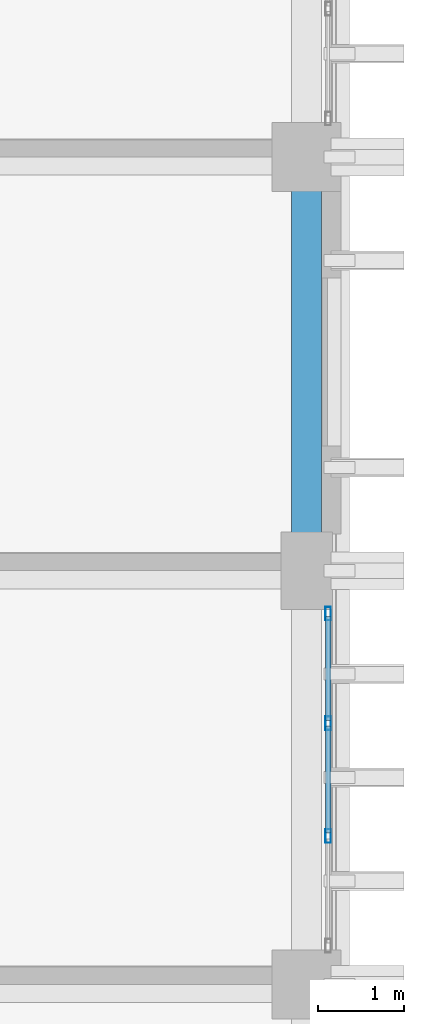
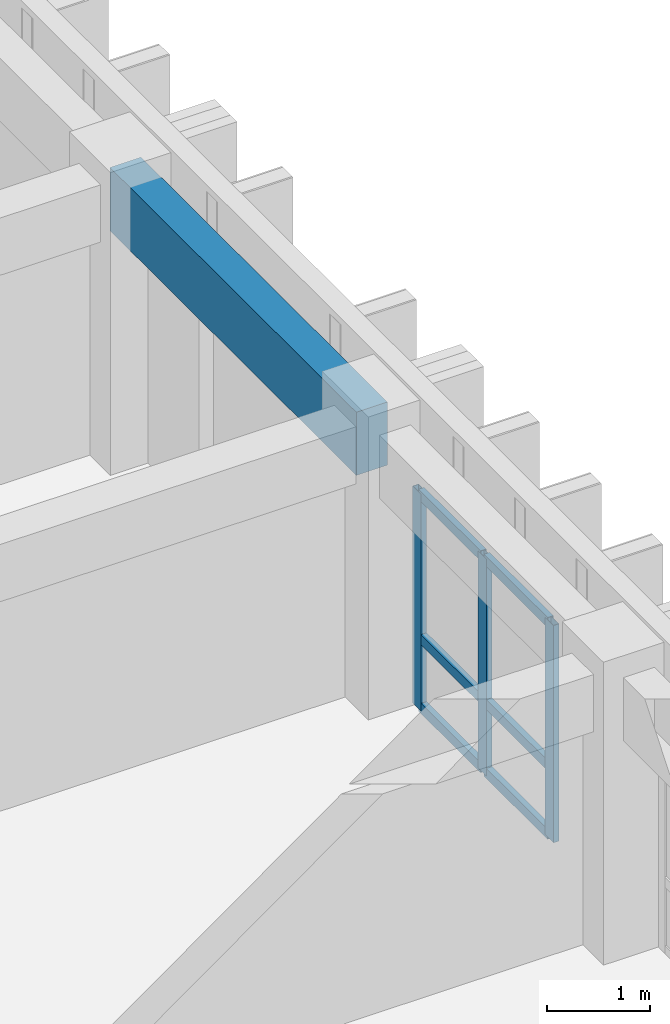
# One storey, part 43 of 82: 9 members, 1 beam, 1 element without a shape of its own.
"""IFC4 building model written with IfcOpenShell, lengths in metres."""

from ifc_helpers import new_model, si_unit, direction, frame, origin, origin_2d, place, context, subcontext, project, spatial, rectangle, hollow_rectangle, extrude, material, layer, layer_set, material_profile, profile_set, type_object, element, aggregate, save


model = new_model("IFC4")

# Units and contexts
model_context = context("Model", 3, precision=1e-05, world=origin(), true_north=direction((0.0, 1.0)))
body_context = subcontext(model_context, "Body", "Model", "MODEL_VIEW")
ifc_project = project(units=[si_unit("LENGTHUNIT", "METRE"), si_unit("AREAUNIT", "SQUARE_METRE"), si_unit("VOLUMEUNIT", "CUBIC_METRE"), si_unit("PLANEANGLEUNIT", "RADIAN"), si_unit("MASSUNIT", "GRAM", prefix="KILO")], contexts=[model_context])

# Site, building, storey
site_placement = place(None, origin())
site = spatial("IfcSite", under=ifc_project, at=site_placement, CompositionType="ELEMENT")
building_placement = place(site_placement, origin())
building = spatial("IfcBuilding", under=site, at=building_placement, Name="Nakhvara Creek Congress Hotel", CompositionType="ELEMENT")
storey_placement = place(building_placement, frame((0.0, 0.0, 21.0)))
storey = spatial("IfcBuildingStorey", under=building, at=storey_placement, Name="L04", CompositionType="ELEMENT", Elevation=21.0)

# Beam
ifc_material_1 = material(Name="Concrete C40/50", Category="concrete")
ifc_material_profile_1 = material_profile(ifc_material_1, rectangle(XDim=0.35009765625, YDim=0.75, at=origin_2d()), Name="RC-SPANDREL 350x750", Category="LoadBearing")
ifc_profile_set_1 = profile_set([ifc_material_profile_1], Name="Concrete C40/50")
beam_type = type_object("IfcBeamType", Name="BM-SPN-350X750", PredefinedType="SPANDREL", material=ifc_profile_set_1)
beam_placement = place(storey_placement, frame((179.35009765625, 100.800048828125, 2.965087890625), z_axis=(0.0, 1.0, 0.0), x_axis=(-1.0, 0.0, 0.0)))
element("IfcBeam", 1, at=beam_placement, inside=storey, type_object=beam_type, Name="Beam SP1-L04-2024", PredefinedType="SPANDREL", context=body_context, shape_type="SweptSolid", body=[
    extrude(rectangle(XDim=0.35009765625, YDim=0.75, at=origin_2d()), origin(), (0.0, 0.0, 1.0), 4.800048828125),
])

# Curtain wall, members
ifc_material_2 = material(Name="Bronze-anodised aluminium AW-6063-T6 and double-silver low-E glass", Category="aluminium")
ifc_layer = layer(ifc_material_2, 0.199951171875)
ifc_layer_set = layer_set([ifc_layer], Name="Bronze-anodised aluminium AW-6063-T6 and double-silver low-E glass")
curtain_wall_type = type_object("IfcCurtainWallType", Name="CW-HTL-UNIT", PredefinedType="USERDEFINED", material=ifc_layer_set)
curtain_wall_placement = place(storey_placement, origin())
curtain_wall = element("IfcCurtainWall", 2, at=curtain_wall_placement, inside=storey, type_object=curtain_wall_type, Name="Curtain Wall CW194", ObjectType="UNITISED", PredefinedType="USERDEFINED")
ifc_material_3 = material(Name="Bronze-anodised aluminium AW-6063-T6", Category="aluminium")
ifc_material_profile_2 = material_profile(ifc_material_3, hollow_rectangle(XDim=0.06494140625, YDim=0.159912109375, WallThickness=0.00390625, at=origin_2d()), Name="ALU-MULL 65x160x4", Category="LoadBearing")
ifc_profile_set_2 = profile_set([ifc_material_profile_2], Name="Bronze-anodised aluminium AW-6063-T6")
member_type_1 = type_object("IfcMemberType", Name="CW-MULL-160", PredefinedType="MULLION", material=ifc_profile_set_2)
member_1_placement = place(storey_placement, frame((179.60009765625, 100.302490234375, 0.0), z_axis=(0.0, 0.0, 1.0), x_axis=(1.0, 0.0, 0.0)))
member_1 = element("IfcMember", 3, at=member_1_placement, type_object=member_type_1, Name="CW194 mullion 1", PredefinedType="MULLION", context=body_context, shape_type="SweptSolid", body=[
    extrude(hollow_rectangle(XDim=0.06494140625, YDim=0.159912109375, WallThickness=0.00390625, at=origin_2d()), origin(), (0.0, 0.0, 1.0), 2.58203125),
])
member_2_placement = place(storey_placement, frame((179.60009765625, 99.0283203125, 0.0), z_axis=(0.0, 0.0, 1.0), x_axis=(1.0, 0.0, 0.0)))
member_2 = element("IfcMember", 4, at=member_2_placement, type_object=member_type_1, Name="CW194 mullion 2", PredefinedType="MULLION", context=body_context, shape_type="SweptSolid", body=[
    extrude(hollow_rectangle(XDim=0.06494140625, YDim=0.159912109375, WallThickness=0.00390625, at=origin_2d()), origin(), (0.0, 0.0, 1.0), 2.58203125),
])
member_3_placement = place(storey_placement, frame((179.60009765625, 97.7216796875, 0.0), z_axis=(0.0, 0.0, 1.0), x_axis=(1.0, 0.0, 0.0)))
member_3 = element("IfcMember", 5, at=member_3_placement, type_object=member_type_1, Name="CW194 mullion 3", PredefinedType="MULLION", context=body_context, shape_type="SweptSolid", body=[
    extrude(hollow_rectangle(XDim=0.06494140625, YDim=0.159912109375, WallThickness=0.00390625, at=origin_2d()), origin(), (0.0, 0.0, 1.0), 2.58203125),
])
ifc_material_profile_3 = material_profile(ifc_material_3, hollow_rectangle(XDim=0.06494140625, YDim=0.1201171875, WallThickness=0.00390625, at=origin_2d()), Name="ALU-TRAN 65x120x4", Category="LoadBearing")
ifc_profile_set_3 = profile_set([ifc_material_profile_3], Name="Bronze-anodised aluminium AW-6063-T6")
member_type_2 = type_object("IfcMemberType", Name="CW-TRAN-120", PredefinedType="USERDEFINED", material=ifc_profile_set_3)
member_4_placement = place(storey_placement, frame((179.60009765625, 100.27001953125, 0.032470703125), z_axis=(0.0, -1.0, 0.0), x_axis=(1.0, 0.0, 0.0)))
member_4 = element("IfcMember", 6, at=member_4_placement, type_object=member_type_2, Name="CW194 transom 1.1", ObjectType="TRANSOM", PredefinedType="USERDEFINED", context=body_context, shape_type="SweptSolid", body=[
    extrude(hollow_rectangle(XDim=0.06494140625, YDim=0.1201171875, WallThickness=0.00390625, at=origin_2d()), origin(), (0.0, 0.0, 1.0), 1.209228515625),
])
member_5_placement = place(storey_placement, frame((179.60009765625, 100.27001953125, 0.85009765625), z_axis=(0.0, -1.0, 0.0), x_axis=(1.0, 0.0, 0.0)))
member_5 = element("IfcMember", 7, at=member_5_placement, type_object=member_type_2, Name="CW194 transom 1.2", ObjectType="TRANSOM", PredefinedType="USERDEFINED", context=body_context, shape_type="SweptSolid", body=[
    extrude(hollow_rectangle(XDim=0.06494140625, YDim=0.1201171875, WallThickness=0.00390625, at=origin_2d()), origin(), (0.0, 0.0, 1.0), 1.209228515625),
])
member_6_placement = place(storey_placement, frame((179.60009765625, 100.27001953125, 2.549560546875), z_axis=(0.0, -1.0, 0.0), x_axis=(1.0, 0.0, 0.0)))
member_6 = element("IfcMember", 8, at=member_6_placement, type_object=member_type_2, Name="CW194 transom 1.3", ObjectType="TRANSOM", PredefinedType="USERDEFINED", context=body_context, shape_type="SweptSolid", body=[
    extrude(hollow_rectangle(XDim=0.06494140625, YDim=0.1201171875, WallThickness=0.00390625, at=origin_2d()), origin(), (0.0, 0.0, 1.0), 1.209228515625),
])
member_7_placement = place(storey_placement, frame((179.60009765625, 98.995849609375, 0.032470703125), z_axis=(0.0, -1.0, 0.0), x_axis=(1.0, 0.0, 0.0)))
member_7 = element("IfcMember", 9, at=member_7_placement, type_object=member_type_2, Name="CW194 transom 2.1", ObjectType="TRANSOM", PredefinedType="USERDEFINED", context=body_context, shape_type="SweptSolid", body=[
    extrude(hollow_rectangle(XDim=0.06494140625, YDim=0.1201171875, WallThickness=0.00390625, at=origin_2d()), origin(), (0.0, 0.0, 1.0), 1.24169921875),
])
member_8_placement = place(storey_placement, frame((179.60009765625, 98.995849609375, 0.85009765625), z_axis=(0.0, -1.0, 0.0), x_axis=(1.0, 0.0, 0.0)))
member_8 = element("IfcMember", 10, at=member_8_placement, type_object=member_type_2, Name="CW194 transom 2.2", ObjectType="TRANSOM", PredefinedType="USERDEFINED", context=body_context, shape_type="SweptSolid", body=[
    extrude(hollow_rectangle(XDim=0.06494140625, YDim=0.1201171875, WallThickness=0.00390625, at=origin_2d()), origin(), (0.0, 0.0, 1.0), 1.24169921875),
])
member_9_placement = place(storey_placement, frame((179.60009765625, 98.995849609375, 2.549560546875), z_axis=(0.0, -1.0, 0.0), x_axis=(1.0, 0.0, 0.0)))
member_9 = element("IfcMember", 11, at=member_9_placement, type_object=member_type_2, Name="CW194 transom 2.3", ObjectType="TRANSOM", PredefinedType="USERDEFINED", context=body_context, shape_type="SweptSolid", body=[
    extrude(hollow_rectangle(XDim=0.06494140625, YDim=0.1201171875, WallThickness=0.00390625, at=origin_2d()), origin(), (0.0, 0.0, 1.0), 1.24169921875),
])
aggregate(curtain_wall, [member_1, member_2, member_3, member_4, member_5, member_6, member_7, member_8, member_9])

save(model, "model.ifc")
